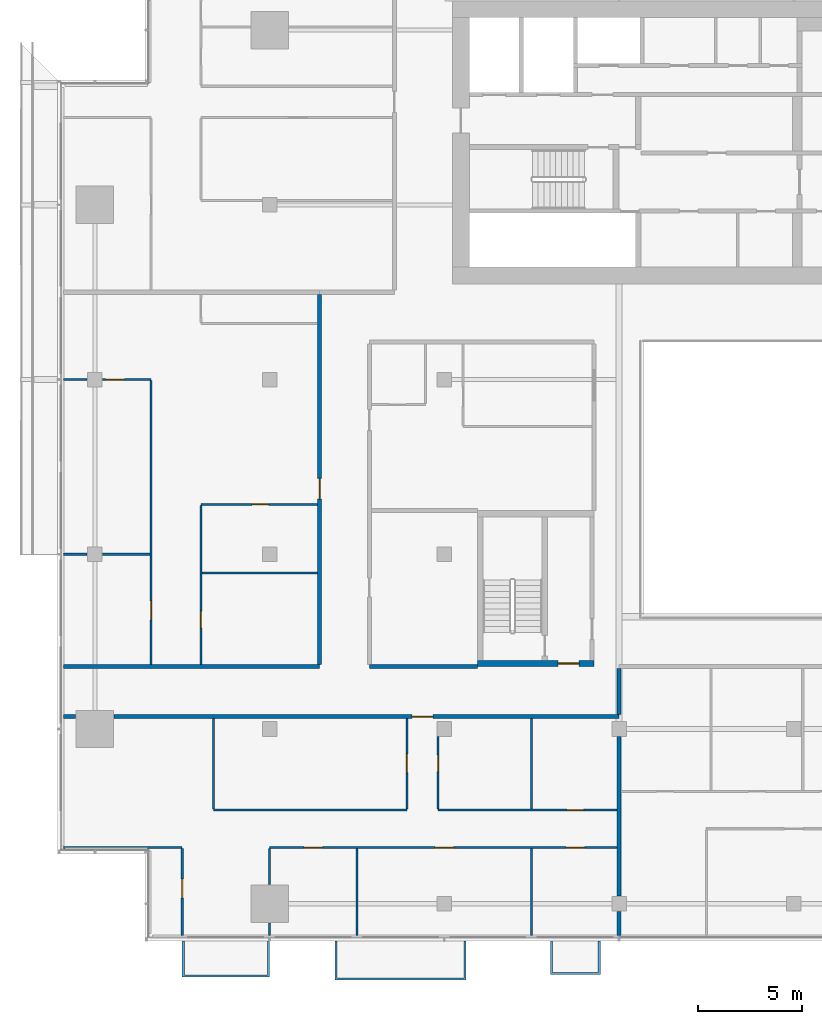
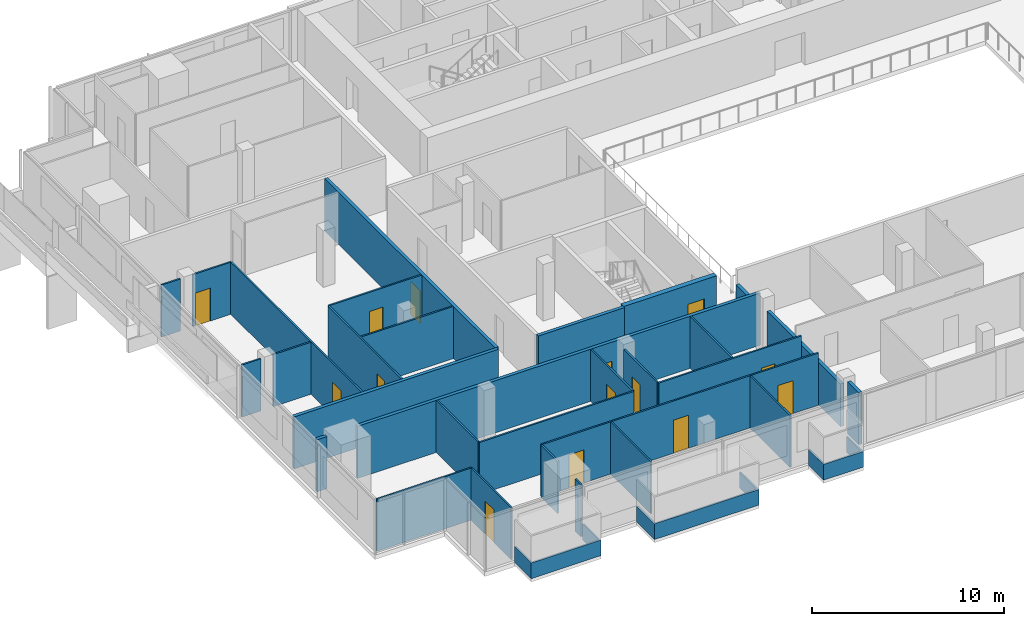
# One storey, part 18 of 29: 33 walls, 14 doors, 14 openings.
"""IFC4 building model written with IfcOpenShell, lengths in metres."""

from ifc_helpers import new_model, si_unit, direction, frame, frame_2d, origin, place, context, subcontext, project, spatial, polyline, rectangle, outline, extrude, material, layer, layer_set, type_object, element, fill, save


model = new_model("IFC4")

# Units and contexts
model_context = context("Model", 3, precision=1e-05, world=origin(), true_north=direction((0.0, 1.0)))
body_context = subcontext(model_context, "Body", "Model", "MODEL_VIEW")
ifc_project = project(units=[si_unit("LENGTHUNIT", "METRE"), si_unit("AREAUNIT", "SQUARE_METRE"), si_unit("VOLUMEUNIT", "CUBIC_METRE"), si_unit("PLANEANGLEUNIT", "RADIAN"), si_unit("MASSUNIT", "GRAM", prefix="KILO")], contexts=[model_context])

# Site, building, storey
site_placement = place(None, origin())
site = spatial("IfcSite", under=ifc_project, at=site_placement, CompositionType="ELEMENT")
building_placement = place(site_placement, origin())
building = spatial("IfcBuilding", under=site, at=building_placement, Name="Saffron Gate Tower", CompositionType="ELEMENT")
storey_placement = place(building_placement, frame((0.0, 0.0, 161.85009765625)))
storey = spatial("IfcBuildingStorey", under=building, at=storey_placement, Name="L39", CompositionType="ELEMENT", Elevation=161.85009765625)

# Wall, opening, door
ifc_material_1 = material(Name="Concrete C60", Category="concrete")
ifc_layer_1 = layer(ifc_material_1, 0.300048828125)
ifc_layer_set_1 = layer_set([ifc_layer_1], Name="CW17 RC core wall 300 C60")
wall_type_1 = type_object("IfcWallType", Name="CW17 RC core wall 300 C60", PredefinedType="SOLIDWALL", material=ifc_layer_set_1)
wall_1_placement = place(storey_placement, frame((68.199951171875, 43.35009765625, 0.0), z_axis=(0.0, 0.0, 1.0), x_axis=(1.0, 0.0, 0.0)))
wall_1 = element("IfcWall", 1, at=wall_1_placement, inside=storey, type_object=wall_type_1, Name="Wall CW17-L39-D-1", PredefinedType="SOLIDWALL", context=body_context, shape_type="SweptSolid", body=[
    extrude(rectangle(XDim=5.60009765625, YDim=0.300048828125, at=frame_2d((2.800048828125, 0.0))), origin(), (0.0, 0.0, 1.0), 3.31982421875),
])
opening_1_placement = place(wall_1_placement, frame((3.875, 0.0, 0.0)))
opening_1 = element("IfcOpeningElement", 2, at=opening_1_placement, cuts=wall_1, Name="Opening CR-18", PredefinedType="OPENING", context=body_context, shape_type="SweptSolid", body=[
    extrude(rectangle(XDim=1.0, YDim=2.10009765625, at=frame_2d((0.5, 1.050048828125))), frame((0.0, 0.16015625, 0.0), z_axis=(0.0, -1.0, 0.0), x_axis=(1.0, 0.0, 0.0)), (0.0, 0.0, 1.0), 0.320068359375),
])
ifc_material_2 = material(Name="Steel fire door set", Category="steel")
door_type_1 = type_object("IfcDoorType", Name="CD4 Lobby door 1000x2100 EI 120", OperationType="NOTDEFINED", PredefinedType="DOOR", material=ifc_material_2)
door_1_placement = place(opening_1_placement, origin())
door_1 = element("IfcDoor", 3, at=door_1_placement, inside=storey, type_object=door_type_1, Name="DOOR CR-18", OperationType="SINGLE_SWING_RIGHT", OverallHeight=2.10009765625, OverallWidth=1.0, PredefinedType="DOOR", context=body_context, shape_type="SweptSolid", body=[
    extrude(rectangle(XDim=1.0, YDim=2.10009765625, at=frame_2d((0.5, 1.050048828125))), frame((0.0, 0.02490234375, 0.0), z_axis=(0.0, -1.0, 0.0), x_axis=(1.0, 0.0, 0.0)), (0.0, 0.0, 1.0), 0.050048828125),
])
fill(opening_1, door_1)

# Wall
ifc_material_3 = material(Name="Plasterboard on steel studs", Category="steel")
ifc_layer_2 = layer(ifc_material_3, 0.10009765625)
ifc_layer_set_2 = layer_set([ifc_layer_2], Name="PW1 Partition 100")
wall_type_2 = type_object("IfcWallType", Name="PW1 Partition 100", PredefinedType="PARTITIONING", material=ifc_layer_set_2)
wall_2_placement = place(storey_placement, frame((48.280029296875, 34.5, 0.0), z_axis=(0.0, 0.0, 1.0), x_axis=(1.0, 0.0, 0.0)))
element("IfcWall", 4, at=wall_2_placement, inside=storey, type_object=wall_type_2, Name="Partition C2-1", PredefinedType="PARTITIONING", context=body_context, shape_type="SweptSolid", body=[
    extrude(rectangle(XDim=5.719970703125, YDim=0.10009765625, at=frame_2d((2.85986328125, 0.0))), origin(), (0.0, 0.0, 1.0), 3.31982421875),
])

# Wall, openings, doors
wall_3_placement = place(storey_placement, frame((74.89990234375, 34.5, 0.0), z_axis=(0.0, 0.0, 1.0), x_axis=(-1.0, 0.0, 0.0)))
wall_3 = element("IfcWall", 5, at=wall_3_placement, inside=storey, type_object=wall_type_2, Name="Partition C2-2", PredefinedType="PARTITIONING", context=body_context, shape_type="SweptSolid", body=[
    extrude(rectangle(XDim=16.699951171875, YDim=0.10009765625, at=frame_2d((8.35009765625, 0.0))), origin(), (0.0, 0.0, 1.0), 3.31982421875),
])
opening_2_placement = place(wall_3_placement, frame((1.550048828125, 0.0, 0.0)))
opening_2 = element("IfcOpeningElement", 6, at=opening_2_placement, cuts=wall_3, Name="Opening C2-13", PredefinedType="OPENING", context=body_context, shape_type="SweptSolid", body=[
    extrude(rectangle(XDim=0.89990234375, YDim=2.10009765625, at=frame_2d((0.449951171875, 1.050048828125))), frame((0.0, 0.06005859375, 0.0), z_axis=(0.0, -1.0, 0.0), x_axis=(1.0, 0.0, 0.0)), (0.0, 0.0, 1.0), 0.1201171875),
])
opening_3_placement = place(wall_3_placement, frame((7.85009765625, 0.0, 0.0)))
opening_3 = element("IfcOpeningElement", 7, at=opening_3_placement, cuts=wall_3, Name="Opening C2-12", PredefinedType="OPENING", context=body_context, shape_type="SweptSolid", body=[
    extrude(rectangle(XDim=0.89990234375, YDim=2.10009765625, at=frame_2d((0.449951171875, 1.050048828125))), frame((0.0, 0.06005859375, 0.0), z_axis=(0.0, -1.0, 0.0), x_axis=(1.0, 0.0, 0.0)), (0.0, 0.0, 1.0), 0.1201171875),
])
opening_4_placement = place(wall_3_placement, frame((14.14990234375, 0.0, 0.0)))
opening_4 = element("IfcOpeningElement", 8, at=opening_4_placement, cuts=wall_3, Name="Opening C2-11", PredefinedType="OPENING", context=body_context, shape_type="SweptSolid", body=[
    extrude(rectangle(XDim=0.89990234375, YDim=2.10009765625, at=frame_2d((0.449951171875, 1.050048828125))), frame((0.0, 0.06005859375, 0.0), z_axis=(0.0, -1.0, 0.0), x_axis=(1.0, 0.0, 0.0)), (0.0, 0.0, 1.0), 0.1201171875),
])
ifc_material_4 = material(Name="Timber door set", Category="wood")
door_type_2 = type_object("IfcDoorType", Name="RD1 Room door 900x2100", OperationType="NOTDEFINED", PredefinedType="DOOR", material=ifc_material_4)
door_2_placement = place(opening_2_placement, origin())
door_2 = element("IfcDoor", 9, at=door_2_placement, inside=storey, type_object=door_type_2, Name="Door C2-13", OperationType="SINGLE_SWING_LEFT", OverallHeight=2.10009765625, OverallWidth=0.89990234375, PredefinedType="DOOR", context=body_context, shape_type="SweptSolid", body=[
    extrude(rectangle(XDim=0.89990234375, YDim=2.10009765625, at=frame_2d((0.449951171875, 1.050048828125))), frame((0.0, 0.02490234375, 0.0), z_axis=(0.0, -1.0, 0.0), x_axis=(1.0, 0.0, 0.0)), (0.0, 0.0, 1.0), 0.050048828125),
])
fill(opening_2, door_2)
door_3_placement = place(opening_3_placement, origin())
door_3 = element("IfcDoor", 10, at=door_3_placement, inside=storey, type_object=door_type_2, Name="Door C2-12", OperationType="SINGLE_SWING_RIGHT", OverallHeight=2.10009765625, OverallWidth=0.89990234375, PredefinedType="DOOR", context=body_context, shape_type="SweptSolid", body=[
    extrude(rectangle(XDim=0.89990234375, YDim=2.10009765625, at=frame_2d((0.449951171875, 1.050048828125))), frame((0.0, 0.02490234375, 0.0), z_axis=(0.0, -1.0, 0.0), x_axis=(1.0, 0.0, 0.0)), (0.0, 0.0, 1.0), 0.050048828125),
])
fill(opening_3, door_3)
door_4_placement = place(opening_4_placement, origin())
door_4 = element("IfcDoor", 11, at=door_4_placement, inside=storey, type_object=door_type_2, Name="Door C2-11", OperationType="SINGLE_SWING_RIGHT", OverallHeight=2.10009765625, OverallWidth=0.89990234375, PredefinedType="DOOR", context=body_context, shape_type="SweptSolid", body=[
    extrude(rectangle(XDim=0.89990234375, YDim=2.10009765625, at=frame_2d((0.449951171875, 1.050048828125))), frame((0.0, 0.02490234375, 0.0), z_axis=(0.0, -1.0, 0.0), x_axis=(1.0, 0.0, 0.0)), (0.0, 0.0, 1.0), 0.050048828125),
])
fill(opening_4, door_4)

# Wall
wall_4_placement = place(storey_placement, frame((55.5, 36.300048828125, 0.0), z_axis=(0.0, 0.0, 1.0), x_axis=(1.0, 0.0, 0.0)))
element("IfcWall", 12, at=wall_4_placement, inside=storey, type_object=wall_type_2, Name="Partition C2-6", PredefinedType="PARTITIONING", context=body_context, shape_type="SweptSolid", body=[
    extrude(rectangle(XDim=9.300048828125, YDim=0.10009765625, at=frame_2d((4.64990234375, 0.0))), origin(), (0.0, 0.0, 1.0), 3.31982421875),
])

# Wall, opening, door
wall_5_placement = place(storey_placement, frame((66.300048828125, 36.300048828125, 0.0), z_axis=(0.0, 0.0, 1.0), x_axis=(1.0, 0.0, 0.0)))
wall_5 = element("IfcWall", 13, at=wall_5_placement, inside=storey, type_object=wall_type_2, Name="Partition C2-7", PredefinedType="PARTITIONING", context=body_context, shape_type="SweptSolid", body=[
    extrude(rectangle(XDim=8.599853515625, YDim=0.10009765625, at=frame_2d((4.2998046875, 0.0))), origin(), (0.0, 0.0, 1.0), 3.31982421875),
])
opening_5_placement = place(wall_5_placement, frame((6.199951171875, 0.0, 0.0)))
opening_5 = element("IfcOpeningElement", 14, at=opening_5_placement, cuts=wall_5, Name="Opening C2-40", PredefinedType="OPENING", context=body_context, shape_type="SweptSolid", body=[
    extrude(rectangle(XDim=0.800048828125, YDim=2.10009765625, at=frame_2d((0.39990234375, 1.050048828125))), frame((0.0, 0.06005859375, 0.0), z_axis=(0.0, -1.0, 0.0), x_axis=(1.0, 0.0, 0.0)), (0.0, 0.0, 1.0), 0.1201171875),
])
door_type_3 = type_object("IfcDoorType", Name="RD2 Bathroom door 800x2100", OperationType="NOTDEFINED", PredefinedType="DOOR", material=ifc_material_4)
door_5_placement = place(opening_5_placement, origin())
door_5 = element("IfcDoor", 15, at=door_5_placement, inside=storey, type_object=door_type_3, Name="Door C2-40", OperationType="SINGLE_SWING_RIGHT", OverallHeight=2.10009765625, OverallWidth=0.800048828125, PredefinedType="DOOR", context=body_context, shape_type="SweptSolid", body=[
    extrude(rectangle(XDim=0.800048828125, YDim=2.10009765625, at=frame_2d((0.39990234375, 1.050048828125))), frame((0.0, 0.02490234375, 0.0), z_axis=(0.0, -1.0, 0.0), x_axis=(1.0, 0.0, 0.0)), (0.0, 0.0, 1.0), 0.050048828125),
])
fill(opening_5, door_5)

# Walls
wall_6_placement = place(storey_placement, frame((54.949951171875, 47.699951171875, 0.0), z_axis=(0.0, 0.0, 1.0), x_axis=(1.0, 0.0, 0.0)))
element("IfcWall", 16, at=wall_6_placement, inside=storey, type_object=wall_type_2, Name="Partition C2-21", PredefinedType="PARTITIONING", context=body_context, shape_type="SweptSolid", body=[
    extrude(rectangle(XDim=5.550048828125, YDim=0.10009765625, at=frame_2d((2.77490234375, 0.0))), origin(), (0.0, 0.0, 1.0), 3.31982421875),
])
wall_7_placement = place(storey_placement, frame((48.280029296875, 48.60009765625, 0.0), z_axis=(0.0, 0.0, 1.0), x_axis=(1.0, 0.0, 0.0)))
element("IfcWall", 17, at=wall_7_placement, inside=storey, type_object=wall_type_2, Name="Partition C2-22", PredefinedType="PARTITIONING", context=body_context, shape_type="SweptSolid", body=[
    extrude(rectangle(XDim=1.14990234375, YDim=0.10009765625, at=frame_2d((0.574951171875, 0.0))), origin(), (0.0, 0.0, 1.0), 3.31982421875),
])
wall_8_placement = place(storey_placement, frame((50.169921875, 48.60009765625, 0.0), z_axis=(0.0, 0.0, 1.0), x_axis=(1.0, 0.0, 0.0)))
element("IfcWall", 18, at=wall_8_placement, inside=storey, type_object=wall_type_2, Name="Partition C2-23", PredefinedType="PARTITIONING", context=body_context, shape_type="SweptSolid", body=[
    extrude(rectangle(XDim=2.280029296875, YDim=0.10009765625, at=frame_2d((1.14013671875, 0.0))), origin(), (0.0, 0.0, 1.0), 3.31982421875),
])

# Wall, opening, door
wall_9_placement = place(storey_placement, frame((60.5, 51.0, 0.0), z_axis=(0.0, 0.0, 1.0), x_axis=(-1.0, 0.0, 0.0)))
wall_9 = element("IfcWall", 19, at=wall_9_placement, inside=storey, type_object=wall_type_2, Name="Partition C2-29", PredefinedType="PARTITIONING", context=body_context, shape_type="SweptSolid", body=[
    extrude(rectangle(XDim=5.60009765625, YDim=0.10009765625, at=frame_2d((2.800048828125, 0.0))), origin(), (0.0, 0.0, 1.0), 3.31982421875),
])
opening_6_placement = place(wall_9_placement, frame((2.35009765625, 0.0, 0.0)))
opening_6 = element("IfcOpeningElement", 20, at=opening_6_placement, cuts=wall_9, Name="Opening C2-46", PredefinedType="OPENING", context=body_context, shape_type="SweptSolid", body=[
    extrude(rectangle(XDim=0.800048828125, YDim=2.10009765625, at=frame_2d((0.39990234375, 1.050048828125))), frame((0.0, 0.06005859375, 0.0), z_axis=(0.0, -1.0, 0.0), x_axis=(1.0, 0.0, 0.0)), (0.0, 0.0, 1.0), 0.1201171875),
])
door_6_placement = place(opening_6_placement, origin())
door_6 = element("IfcDoor", 21, at=door_6_placement, inside=storey, type_object=door_type_3, Name="Door C2-46", OperationType="SINGLE_SWING_LEFT", OverallHeight=2.10009765625, OverallWidth=0.800048828125, PredefinedType="DOOR", context=body_context, shape_type="SweptSolid", body=[
    extrude(rectangle(XDim=0.800048828125, YDim=2.10009765625, at=frame_2d((0.39990234375, 1.050048828125))), frame((0.0, 0.02490234375, 0.0), z_axis=(0.0, -1.0, 0.0), x_axis=(1.0, 0.0, 0.0)), (0.0, 0.0, 1.0), 0.050048828125),
])
fill(opening_6, door_6)

# Wall
wall_10_placement = place(storey_placement, frame((48.280029296875, 57.0, 0.0), z_axis=(0.0, 0.0, 1.0), x_axis=(1.0, 0.0, 0.0)))
element("IfcWall", 22, at=wall_10_placement, inside=storey, type_object=wall_type_2, Name="Partition C2-37", PredefinedType="PARTITIONING", context=body_context, shape_type="SweptSolid", body=[
    extrude(rectangle(XDim=1.14990234375, YDim=0.10009765625, at=frame_2d((0.574951171875, 0.0))), origin(), (0.0, 0.0, 1.0), 3.31982421875),
])

# Wall, opening, door
wall_11_placement = place(storey_placement, frame((52.5, 57.0, 0.0), z_axis=(0.0, 0.0, 1.0), x_axis=(-1.0, 0.0, 0.0)))
wall_11 = element("IfcWall", 23, at=wall_11_placement, inside=storey, type_object=wall_type_2, Name="Partition C2-38", PredefinedType="PARTITIONING", context=body_context, shape_type="SweptSolid", body=[
    extrude(rectangle(XDim=2.330078125, YDim=0.10009765625, at=frame_2d((1.1650390625, 0.0))), origin(), (0.0, 0.0, 1.0), 3.31982421875),
])
opening_7_placement = place(wall_11_placement, frame((1.280029296875, 0.0, 0.0)))
opening_7 = element("IfcOpeningElement", 24, at=opening_7_placement, cuts=wall_11, Name="Opening C2-26", PredefinedType="OPENING", context=body_context, shape_type="SweptSolid", body=[
    extrude(rectangle(XDim=0.89990234375, YDim=2.10009765625, at=frame_2d((0.449951171875, 1.050048828125))), frame((0.0, 0.06005859375, 0.0), z_axis=(0.0, -1.0, 0.0), x_axis=(1.0, 0.0, 0.0)), (0.0, 0.0, 1.0), 0.1201171875),
])
door_7_placement = place(opening_7_placement, origin())
door_7 = element("IfcDoor", 25, at=door_7_placement, inside=storey, type_object=door_type_2, Name="Door C2-26", OperationType="SINGLE_SWING_RIGHT", OverallHeight=2.10009765625, OverallWidth=0.89990234375, PredefinedType="DOOR", context=body_context, shape_type="SweptSolid", body=[
    extrude(rectangle(XDim=0.89990234375, YDim=2.10009765625, at=frame_2d((0.449951171875, 1.050048828125))), frame((0.0, 0.02490234375, 0.0), z_axis=(0.0, -1.0, 0.0), x_axis=(1.0, 0.0, 0.0)), (0.0, 0.0, 1.0), 0.050048828125),
])
fill(opening_7, door_7)

wall_12_placement = place(storey_placement, frame((52.5, 43.300048828125, 0.0), z_axis=(0.0, 0.0, 1.0), x_axis=(0.0, 1.0, 0.0)))
wall_12 = element("IfcWall", 26, at=wall_12_placement, inside=storey, type_object=wall_type_2, Name="Partition C2-62", PredefinedType="PARTITIONING", context=body_context, shape_type="SweptSolid", body=[
    extrude(rectangle(XDim=13.64990234375, YDim=0.10009765625, at=frame_2d((6.824951171875, 0.0))), origin(), (0.0, 0.0, 1.0), 3.31982421875),
])
opening_8_placement = place(wall_12_placement, frame((2.14990234375, 0.0, 0.0)))
opening_8 = element("IfcOpeningElement", 27, at=opening_8_placement, cuts=wall_12, Name="Opening C2-25", PredefinedType="OPENING", context=body_context, shape_type="SweptSolid", body=[
    extrude(rectangle(XDim=0.89990234375, YDim=2.10009765625, at=frame_2d((0.449951171875, 1.050048828125))), frame((0.0, 0.06005859375, 0.0), z_axis=(0.0, -1.0, 0.0), x_axis=(1.0, 0.0, 0.0)), (0.0, 0.0, 1.0), 0.1201171875),
])
door_8_placement = place(opening_8_placement, origin())
door_8 = element("IfcDoor", 28, at=door_8_placement, inside=storey, type_object=door_type_2, Name="Door C2-25", OperationType="SINGLE_SWING_LEFT", OverallHeight=2.10009765625, OverallWidth=0.89990234375, PredefinedType="DOOR", context=body_context, shape_type="SweptSolid", body=[
    extrude(rectangle(XDim=0.89990234375, YDim=2.10009765625, at=frame_2d((0.449951171875, 1.050048828125))), frame((0.0, 0.02490234375, 0.0), z_axis=(0.0, -1.0, 0.0), x_axis=(1.0, 0.0, 0.0)), (0.0, 0.0, 1.0), 0.050048828125),
])
fill(opening_8, door_8)

wall_13_placement = place(storey_placement, frame((54.0, 30.280029296875, 0.0), z_axis=(0.0, 0.0, 1.0), x_axis=(0.0, 1.0, 0.0)))
wall_13 = element("IfcWall", 29, at=wall_13_placement, inside=storey, type_object=wall_type_2, Name="Partition C2-64", PredefinedType="PARTITIONING", context=body_context, shape_type="SweptSolid", body=[
    extrude(rectangle(XDim=4.169921875, YDim=0.10009765625, at=frame_2d((2.0849609375, 0.0))), origin(), (0.0, 0.0, 1.0), 3.31982421875),
])
opening_9_placement = place(wall_13_placement, frame((1.802734375, 0.0, 0.0)))
opening_9 = element("IfcOpeningElement", 30, at=opening_9_placement, cuts=wall_13, Name="Opening C2-10", PredefinedType="OPENING", context=body_context, shape_type="SweptSolid", body=[
    extrude(rectangle(XDim=0.89990234375, YDim=2.10009765625, at=frame_2d((0.449951171875, 1.050048828125))), frame((0.0, 0.06005859375, 0.0), z_axis=(0.0, -1.0, 0.0), x_axis=(1.0, 0.0, 0.0)), (0.0, 0.0, 1.0), 0.1201171875),
])
door_9_placement = place(opening_9_placement, origin())
door_9 = element("IfcDoor", 31, at=door_9_placement, inside=storey, type_object=door_type_2, Name="Door C2-10", OperationType="SINGLE_SWING_RIGHT", OverallHeight=2.10009765625, OverallWidth=0.89990234375, PredefinedType="DOOR", context=body_context, shape_type="SweptSolid", body=[
    extrude(rectangle(XDim=0.89990234375, YDim=2.10009765625, at=frame_2d((0.449951171875, 1.050048828125))), frame((0.0, 0.02490234375, 0.0), z_axis=(0.0, -1.0, 0.0), x_axis=(1.0, 0.0, 0.0)), (0.0, 0.0, 1.0), 0.050048828125),
])
fill(opening_9, door_9)

wall_14_placement = place(storey_placement, frame((54.89990234375, 50.949951171875, 0.0), z_axis=(0.0, 0.0, 1.0), x_axis=(0.0, -1.0, 0.0)))
wall_14 = element("IfcWall", 32, at=wall_14_placement, inside=storey, type_object=wall_type_2, Name="Partition C2-65", PredefinedType="PARTITIONING", context=body_context, shape_type="SweptSolid", body=[
    extrude(rectangle(XDim=7.64990234375, YDim=0.10009765625, at=frame_2d((3.824951171875, 0.0))), origin(), (0.0, 0.0, 1.0), 3.31982421875),
])
opening_10_placement = place(wall_14_placement, frame((5.10009765625, 0.0, 0.0)))
opening_10 = element("IfcOpeningElement", 33, at=opening_10_placement, cuts=wall_14, Name="Opening C2-45", PredefinedType="OPENING", context=body_context, shape_type="SweptSolid", body=[
    extrude(rectangle(XDim=0.800048828125, YDim=2.10009765625, at=frame_2d((0.39990234375, 1.050048828125))), frame((0.0, 0.06005859375, 0.0), z_axis=(0.0, -1.0, 0.0), x_axis=(1.0, 0.0, 0.0)), (0.0, 0.0, 1.0), 0.1201171875),
])
door_10_placement = place(opening_10_placement, origin())
door_10 = element("IfcDoor", 34, at=door_10_placement, inside=storey, type_object=door_type_3, Name="Door C2-45", OperationType="SINGLE_SWING_RIGHT", OverallHeight=2.10009765625, OverallWidth=0.800048828125, PredefinedType="DOOR", context=body_context, shape_type="SweptSolid", body=[
    extrude(rectangle(XDim=0.800048828125, YDim=2.10009765625, at=frame_2d((0.39990234375, 1.050048828125))), frame((0.0, 0.02490234375, 0.0), z_axis=(0.0, -1.0, 0.0), x_axis=(1.0, 0.0, 0.0)), (0.0, 0.0, 1.0), 0.050048828125),
])
fill(opening_10, door_10)

# Walls
wall_15_placement = place(storey_placement, frame((55.5, 40.699951171875, 0.0), z_axis=(0.0, 0.0, 1.0), x_axis=(0.0, -1.0, 0.0)))
element("IfcWall", 35, at=wall_15_placement, inside=storey, type_object=wall_type_2, Name="Partition C2-69", PredefinedType="PARTITIONING", context=body_context, shape_type="SweptSolid", body=[
    extrude(rectangle(XDim=4.349853515625, YDim=0.10009765625, at=frame_2d((2.1748046875, 0.0))), origin(), (0.0, 0.0, 1.0), 3.31982421875),
])
wall_16_placement = place(storey_placement, frame((58.199951171875, 30.8798828125, 0.0), z_axis=(0.0, 0.0, 1.0), x_axis=(0.0, -1.0, 0.0)))
element("IfcWall", 36, at=wall_16_placement, inside=storey, type_object=wall_type_2, Name="Partition C2-70", PredefinedType="PARTITIONING", context=body_context, shape_type="SweptSolid", body=[
    extrude(rectangle(XDim=0.599853515625, YDim=0.10009765625, at=frame_2d((0.2998046875, 0.0))), origin(), (0.0, 0.0, 1.0), 3.31982421875),
])
wall_17_placement = place(storey_placement, frame((58.199951171875, 34.449951171875, 0.0), z_axis=(0.0, 0.0, 1.0), x_axis=(0.0, -1.0, 0.0)))
element("IfcWall", 37, at=wall_17_placement, inside=storey, type_object=wall_type_2, Name="Partition C2-71", PredefinedType="PARTITIONING", context=body_context, shape_type="SweptSolid", body=[
    extrude(rectangle(XDim=1.72998046875, YDim=0.10009765625, at=frame_2d((0.864990234375, 0.0))), origin(), (0.0, 0.0, 1.0), 3.31982421875),
])
wall_18_placement = place(storey_placement, frame((62.39990234375, 34.449951171875, 0.0), z_axis=(0.0, 0.0, 1.0), x_axis=(0.0, -1.0, 0.0)))
element("IfcWall", 38, at=wall_18_placement, inside=storey, type_object=wall_type_2, Name="Partition C2-73", PredefinedType="PARTITIONING", context=body_context, shape_type="SweptSolid", body=[
    extrude(rectangle(XDim=4.169921875, YDim=0.10009765625, at=frame_2d((2.0849609375, 0.0))), origin(), (0.0, 0.0, 1.0), 3.31982421875),
])

# Wall, opening, door
wall_19_placement = place(storey_placement, frame((64.800048828125, 36.35009765625, 0.0), z_axis=(0.0, 0.0, 1.0), x_axis=(0.0, 1.0, 0.0)))
wall_19 = element("IfcWall", 39, at=wall_19_placement, inside=storey, type_object=wall_type_2, Name="Partition C2-76", PredefinedType="PARTITIONING", context=body_context, shape_type="SweptSolid", body=[
    extrude(rectangle(XDim=4.349853515625, YDim=0.10009765625, at=frame_2d((2.1748046875, 0.0))), origin(), (0.0, 0.0, 1.0), 3.31982421875),
])
opening_11_placement = place(wall_19_placement, frame((1.75, 0.0, 0.0)))
opening_11 = element("IfcOpeningElement", 40, at=opening_11_placement, cuts=wall_19, Name="Opening C2-14", PredefinedType="OPENING", context=body_context, shape_type="SweptSolid", body=[
    extrude(rectangle(XDim=0.89990234375, YDim=2.10009765625, at=frame_2d((0.449951171875, 1.050048828125))), frame((0.0, 0.06005859375, 0.0), z_axis=(0.0, -1.0, 0.0), x_axis=(1.0, 0.0, 0.0)), (0.0, 0.0, 1.0), 0.1201171875),
])
door_11_placement = place(opening_11_placement, origin())
door_11 = element("IfcDoor", 41, at=door_11_placement, inside=storey, type_object=door_type_2, Name="Door C2-14", OperationType="SINGLE_SWING_RIGHT", OverallHeight=2.10009765625, OverallWidth=0.89990234375, PredefinedType="DOOR", context=body_context, shape_type="SweptSolid", body=[
    extrude(rectangle(XDim=0.89990234375, YDim=2.10009765625, at=frame_2d((0.449951171875, 1.050048828125))), frame((0.0, 0.02490234375, 0.0), z_axis=(0.0, -1.0, 0.0), x_axis=(1.0, 0.0, 0.0)), (0.0, 0.0, 1.0), 0.050048828125),
])
fill(opening_11, door_11)

wall_20_placement = place(storey_placement, frame((66.300048828125, 39.830078125, 0.0), z_axis=(0.0, 0.0, 1.0), x_axis=(0.0, -1.0, 0.0)))
wall_20 = element("IfcWall", 42, at=wall_20_placement, inside=storey, type_object=wall_type_2, Name="Partition C2-78", PredefinedType="PARTITIONING", context=body_context, shape_type="SweptSolid", body=[
    extrude(rectangle(XDim=3.47998046875, YDim=0.10009765625, at=frame_2d((1.739990234375, 0.0))), origin(), (0.0, 0.0, 1.0), 3.31982421875),
])
opening_12_placement = place(wall_20_placement, frame((0.8798828125, 0.0, 0.0)))
opening_12 = element("IfcOpeningElement", 43, at=opening_12_placement, cuts=wall_20, Name="Opening C2-39", PredefinedType="OPENING", context=body_context, shape_type="SweptSolid", body=[
    extrude(rectangle(XDim=0.800048828125, YDim=2.10009765625, at=frame_2d((0.39990234375, 1.050048828125))), frame((0.0, 0.06005859375, 0.0), z_axis=(0.0, -1.0, 0.0), x_axis=(1.0, 0.0, 0.0)), (0.0, 0.0, 1.0), 0.1201171875),
])
door_12_placement = place(opening_12_placement, origin())
door_12 = element("IfcDoor", 44, at=door_12_placement, inside=storey, type_object=door_type_3, Name="Door C2-39", OperationType="SINGLE_SWING_LEFT", OverallHeight=2.10009765625, OverallWidth=0.800048828125, PredefinedType="DOOR", context=body_context, shape_type="SweptSolid", body=[
    extrude(rectangle(XDim=0.800048828125, YDim=2.10009765625, at=frame_2d((0.39990234375, 1.050048828125))), frame((0.0, 0.02490234375, 0.0), z_axis=(0.0, -1.0, 0.0), x_axis=(1.0, 0.0, 0.0)), (0.0, 0.0, 1.0), 0.050048828125),
])
fill(opening_12, door_12)

# Walls
wall_21_placement = place(storey_placement, frame((70.800048828125, 34.449951171875, 0.0), z_axis=(0.0, 0.0, 1.0), x_axis=(0.0, -1.0, 0.0)))
element("IfcWall", 45, at=wall_21_placement, inside=storey, type_object=wall_type_2, Name="Partition C2-80", PredefinedType="PARTITIONING", context=body_context, shape_type="SweptSolid", body=[
    extrude(rectangle(XDim=4.169921875, YDim=0.10009765625, at=frame_2d((2.0849609375, 0.0))), origin(), (0.0, 0.0, 1.0), 3.31982421875),
])
wall_22_placement = place(storey_placement, frame((70.800048828125, 40.699951171875, 0.0), z_axis=(0.0, 0.0, 1.0), x_axis=(0.0, -1.0, 0.0)))
element("IfcWall", 46, at=wall_22_placement, inside=storey, type_object=wall_type_2, Name="Partition C2-81", PredefinedType="PARTITIONING", context=body_context, shape_type="SweptSolid", body=[
    extrude(rectangle(XDim=4.349853515625, YDim=0.10009765625, at=frame_2d((2.1748046875, 0.0))), origin(), (0.0, 0.0, 1.0), 3.31982421875),
])
ifc_material_5 = material(Name="Clay brick masonry, rendered", Category="masonry")
ifc_layer_3 = layer(ifc_material_5, 0.199951171875)
ifc_layer_set_3 = layer_set([ifc_layer_3], Name="PW2 Demising wall 200")
wall_type_3 = type_object("IfcWallType", Name="PW2 Demising wall 200", PredefinedType="PARTITIONING", material=ifc_layer_set_3)
wall_23_placement = place(storey_placement, frame((75.0, 31.429931640625, 0.0), z_axis=(0.0, 0.0, 1.0), x_axis=(0.0, -1.0, 0.0)))
element("IfcWall", 47, at=wall_23_placement, inside=storey, type_object=wall_type_3, Name="Wall C2-84", PredefinedType="PARTITIONING", context=body_context, shape_type="SweptSolid", body=[
    extrude(rectangle(XDim=1.14990234375, YDim=0.199951171875, at=frame_2d((0.574951171875, 0.0))), origin(), (0.0, 0.0, 1.0), 3.31982421875),
])
wall_24_placement = place(storey_placement, frame((75.0, 39.830078125, 0.0), z_axis=(0.0, 0.0, 1.0), x_axis=(0.0, -1.0, 0.0)))
element("IfcWall", 48, at=wall_24_placement, inside=storey, type_object=wall_type_3, Name="Wall C2-85", PredefinedType="PARTITIONING", context=body_context, shape_type="SweptSolid", body=[
    extrude(rectangle(XDim=7.66015625, YDim=0.199951171875, at=frame_2d((3.830078125, 0.0))), origin(), (0.0, 0.0, 1.0), 2.719970703125),
])
ifc_layer_4 = layer(ifc_material_5, 0.199951171875)
ifc_layer_set_4 = layer_set([ifc_layer_4], Name="PW3 Corridor wall 200")
wall_type_4 = type_object("IfcWallType", Name="PW3 Corridor wall 200", PredefinedType="PARTITIONING", material=ifc_layer_set_4)
wall_25_placement = place(storey_placement, frame((48.280029296875, 40.800048828125, 0.0), z_axis=(0.0, 0.0, 1.0), x_axis=(1.0, 0.0, 0.0)))
element("IfcWall", 49, at=wall_25_placement, inside=storey, type_object=wall_type_4, Name="Wall C2-12", PredefinedType="PARTITIONING", context=body_context, shape_type="SweptSolid", body=[
    extrude(rectangle(XDim=0.599853515625, YDim=0.199951171875, at=frame_2d((0.2998046875, 0.0))), origin(), (0.0, 0.0, 1.0), 3.31982421875),
])

# Wall, opening, door
wall_26_placement = place(storey_placement, frame((75.0, 40.800048828125, 0.0), z_axis=(0.0, 0.0, 1.0), x_axis=(-1.0, 0.0, 0.0)))
wall_26 = element("IfcWall", 50, at=wall_26_placement, inside=storey, type_object=wall_type_4, Name="Wall C2-13", PredefinedType="PARTITIONING", context=body_context, shape_type="SweptSolid", body=[
    extrude(rectangle(XDim=24.280029296875, YDim=0.199951171875, at=frame_2d((12.14013671875, 0.0))), origin(), (0.0, 0.0, 1.0), 3.31982421875),
])
opening_13_placement = place(wall_26_placement, frame((8.949951171875, 0.0, 0.0)))
opening_13 = element("IfcOpeningElement", 51, at=opening_13_placement, cuts=wall_26, Name="Opening C2-1", PredefinedType="OPENING", context=body_context, shape_type="SweptSolid", body=[
    extrude(rectangle(XDim=1.0, YDim=2.10009765625, at=frame_2d((0.5, 1.050048828125))), frame((0.0, 0.10986328125, 0.0), z_axis=(0.0, -1.0, 0.0), x_axis=(1.0, 0.0, 0.0)), (0.0, 0.0, 1.0), 0.219970703125),
])
ifc_material_6 = material(Name="Timber fire door set", Category="wood")
door_type_4 = type_object("IfcDoorType", Name="FD1 Flat entry door 1000x2100", OperationType="NOTDEFINED", PredefinedType="DOOR", material=ifc_material_6)
door_13_placement = place(opening_13_placement, origin())
door_13 = element("IfcDoor", 52, at=door_13_placement, inside=storey, type_object=door_type_4, Name="Door C2-1", OperationType="SINGLE_SWING_LEFT", OverallHeight=2.10009765625, OverallWidth=1.0, PredefinedType="DOOR", context=body_context, shape_type="SweptSolid", body=[
    extrude(rectangle(XDim=1.0, YDim=2.10009765625, at=frame_2d((0.5, 1.050048828125))), frame((0.0, 0.02490234375, 0.0), z_axis=(0.0, -1.0, 0.0), x_axis=(1.0, 0.0, 0.0)), (0.0, 0.0, 1.0), 0.050048828125),
])
fill(opening_13, door_13)

# Walls
wall_27_placement = place(storey_placement, frame((48.280029296875, 43.199951171875, 0.0), z_axis=(0.0, 0.0, 1.0), x_axis=(1.0, 0.0, 0.0)))
element("IfcWall", 53, at=wall_27_placement, inside=storey, type_object=wall_type_4, Name="Wall C2-16", PredefinedType="PARTITIONING", context=body_context, shape_type="SweptSolid", body=[
    extrude(rectangle(XDim=12.320068359375, YDim=0.199951171875, at=frame_2d((6.16015625, 0.0))), origin(), (0.0, 0.0, 1.0), 3.31982421875),
])
wall_28_placement = place(storey_placement, frame((63.0, 43.199951171875, 0.0), z_axis=(0.0, 0.0, 1.0), x_axis=(1.0, 0.0, 0.0)))
element("IfcWall", 54, at=wall_28_placement, inside=storey, type_object=wall_type_4, Name="Wall C2-17", PredefinedType="PARTITIONING", context=body_context, shape_type="SweptSolid", body=[
    extrude(rectangle(XDim=5.199951171875, YDim=0.199951171875, at=frame_2d((2.60009765625, 0.0))), origin(), (0.0, 0.0, 1.0), 3.31982421875),
])

# Wall, opening, door
wall_29_placement = place(storey_placement, frame((60.60009765625, 43.300048828125, 0.0), z_axis=(0.0, 0.0, 1.0), x_axis=(0.0, 1.0, 0.0)))
wall_29 = element("IfcWall", 55, at=wall_29_placement, inside=storey, type_object=wall_type_4, Name="Wall C2-72", PredefinedType="PARTITIONING", context=body_context, shape_type="SweptSolid", body=[
    extrude(rectangle(XDim=17.800048828125, YDim=0.199951171875, at=frame_2d((8.89990234375, 0.0))), origin(), (0.0, 0.0, 1.0), 3.31982421875),
])
opening_14_placement = place(wall_29_placement, frame((7.949951171875, 0.0, 0.0)))
opening_14 = element("IfcOpeningElement", 56, at=opening_14_placement, cuts=wall_29, Name="Opening C2-4", PredefinedType="OPENING", context=body_context, shape_type="SweptSolid", body=[
    extrude(rectangle(XDim=1.0, YDim=2.10009765625, at=frame_2d((0.5, 1.050048828125))), frame((0.0, 0.10986328125, 0.0), z_axis=(0.0, -1.0, 0.0), x_axis=(1.0, 0.0, 0.0)), (0.0, 0.0, 1.0), 0.219970703125),
])
door_14_placement = place(opening_14_placement, origin())
door_14 = element("IfcDoor", 57, at=door_14_placement, inside=storey, type_object=door_type_4, Name="Door C2-4", OperationType="SINGLE_SWING_RIGHT", OverallHeight=2.10009765625, OverallWidth=1.0, PredefinedType="DOOR", context=body_context, shape_type="SweptSolid", body=[
    extrude(rectangle(XDim=1.0, YDim=2.10009765625, at=frame_2d((0.5, 1.050048828125))), frame((0.0, 0.02490234375, 0.0), z_axis=(0.0, -1.0, 0.0), x_axis=(1.0, 0.0, 0.0)), (0.0, 0.0, 1.0), 0.050048828125),
])
fill(opening_14, door_14)

# Walls
wall_30_placement = place(storey_placement, frame((75.0, 43.10009765625, 0.0), z_axis=(0.0, 0.0, 1.0), x_axis=(0.0, -1.0, 0.0)))
element("IfcWall", 58, at=wall_30_placement, inside=storey, type_object=wall_type_4, Name="Wall C2-83", PredefinedType="PARTITIONING", context=body_context, shape_type="SweptSolid", body=[
    extrude(rectangle(XDim=2.2001953125, YDim=0.199951171875, at=frame_2d((1.10009765625, 0.0))), origin(), (0.0, 0.0, 1.0), 2.429931640625),
])
ifc_material_7 = material(Name="Rendered insulated panel, white")
ifc_layer_5 = layer(ifc_material_7, 0.10009765625)
ifc_layer_set_5 = layer_set([ifc_layer_5], Name="WB3 box parapet white")
wall_type_5 = type_object("IfcWallType", Name="WB3 box parapet white", PredefinedType="SOLIDWALL", material=ifc_layer_set_5)
wall_31_placement = place(storey_placement, origin())
element("IfcWall", 59, at=wall_31_placement, inside=storey, type_object=wall_type_5, Name="WINDOW BOX parapet", PredefinedType="SOLIDWALL", context=body_context, shape_type="SweptSolid", body=[
    extrude(outline(polyline([(54.0, 30.0), (54.10009765625, 30.0), (54.10009765625, 28.366943359375), (58.10009765625, 28.366943359375), (58.10009765625, 30.0), (58.199951171875, 30.0), (58.199951171875, 28.26708984375), (54.0, 28.26708984375), (54.0, 30.0)])), origin(), (0.0, 0.0, 1.0), 1.0),
])
wall_32_placement = place(storey_placement, origin())
element("IfcWall", 60, at=wall_32_placement, inside=storey, type_object=wall_type_5, Name="WINDOW BOX parapet", PredefinedType="SOLIDWALL", context=body_context, shape_type="SweptSolid", body=[
    extrude(outline(polyline([(61.35009765625, 30.0), (61.449951171875, 30.0), (61.449951171875, 28.23291015625), (67.550048828125, 28.23291015625), (67.550048828125, 30.0), (67.64990234375, 30.0), (67.64990234375, 28.133056640625), (61.35009765625, 28.133056640625), (61.35009765625, 30.0)])), origin(), (0.0, 0.0, 1.0), 1.0),
])
wall_33_placement = place(storey_placement, origin())
element("IfcWall", 61, at=wall_33_placement, inside=storey, type_object=wall_type_5, Name="WINDOW BOX parapet", PredefinedType="SOLIDWALL", context=body_context, shape_type="SweptSolid", body=[
    extrude(outline(polyline([(71.699951171875, 30.0), (71.800048828125, 30.0), (71.800048828125, 28.5), (74.0, 28.5), (74.0, 30.0), (74.10009765625, 30.0), (74.10009765625, 28.39990234375), (71.699951171875, 28.39990234375), (71.699951171875, 30.0)])), origin(), (0.0, 0.0, 1.0), 1.0),
])

save(model, "model.ifc")
